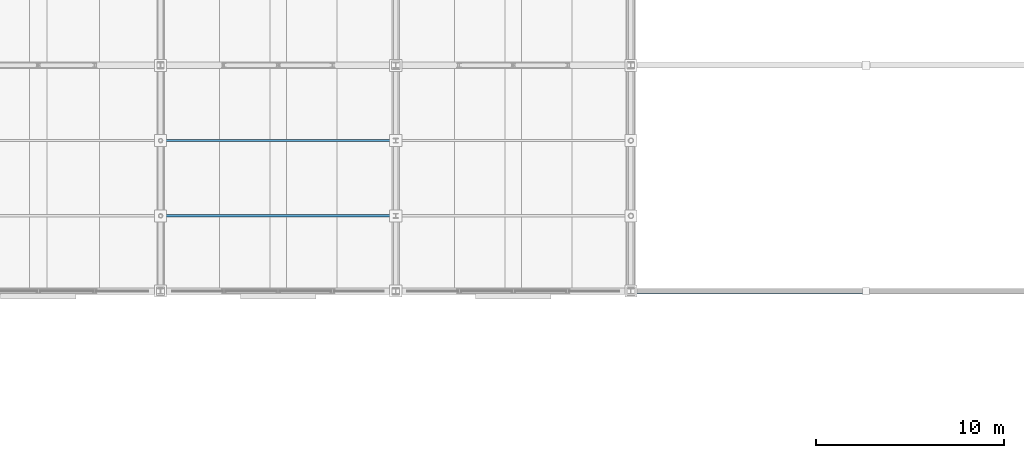
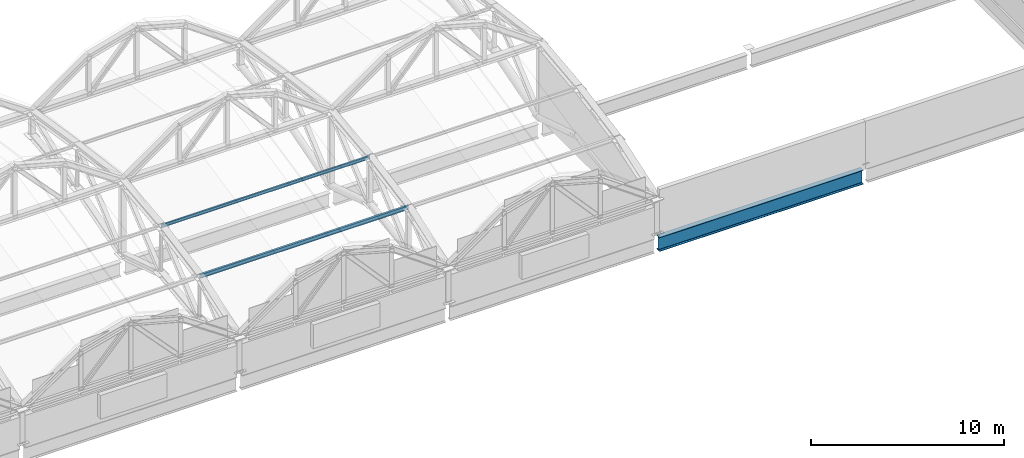
# One storey, part 52 of 117: 2 members, 1 beam.
"""IFC4 building model written with IfcOpenShell, lengths in metres."""

from ifc_helpers import new_model, si_unit, direction, frame, origin, origin_2d, place, context, subcontext, project, spatial, i_section, extrude, material, material_profile, profile_set, type_object, element, save


model = new_model("IFC4")

# Units and contexts
model_context = context("Model", 3, precision=1e-05, world=origin(), true_north=direction((0.0, 1.0)))
body_context = subcontext(model_context, "Body", "Model", "MODEL_VIEW")
ifc_project = project(units=[si_unit("LENGTHUNIT", "METRE"), si_unit("AREAUNIT", "SQUARE_METRE"), si_unit("VOLUMEUNIT", "CUBIC_METRE"), si_unit("PLANEANGLEUNIT", "RADIAN"), si_unit("MASSUNIT", "GRAM", prefix="KILO")], contexts=[model_context])

# Site, building, storey
site_placement = place(None, origin())
site = spatial("IfcSite", under=ifc_project, at=site_placement, CompositionType="ELEMENT")
building_placement = place(site_placement, origin())
building = spatial("IfcBuilding", under=site, at=building_placement, Name="Kazenohara Klinker Stadium", CompositionType="ELEMENT")
storey_placement = place(building_placement, frame((0.0, 0.0, 31.199951171875)))
storey = spatial("IfcBuildingStorey", under=building, at=storey_placement, Name="RF", CompositionType="ELEMENT", Elevation=31.199951171875)

# Members
ifc_material = material(Name="Steel S355", Category="steel")
ifc_material_profile_1 = material_profile(ifc_material, i_section(OverallWidth=0.125, OverallDepth=0.25, WebThickness=0.006103515625, FlangeThickness=0.009033203125, FilletRadius=0.008056640625, at=origin_2d()), Name="H-250x125x6x9")
ifc_profile_set_1 = profile_set([ifc_material_profile_1], Name="Steel S355")
member_type_1 = type_object("IfcMemberType", Name="MEM-PUR01", PredefinedType="PURLIN", material=ifc_profile_set_1)
member_1_placement = place(storey_placement, frame((125.0, 28.0, 3.469970703125), z_axis=(1.0, 0.0, 0.0), x_axis=(0.0, 1.0, 0.0)))
element("IfcMember", 1, at=member_1_placement, inside=storey, type_object=member_type_1, Name="Canopy valley tie purlin PR01 S-06-N1", PredefinedType="PURLIN", context=body_context, shape_type="SweptSolid", body=[
    extrude(i_section(OverallWidth=0.125, OverallDepth=0.25, WebThickness=0.006103515625, FlangeThickness=0.009033203125, FilletRadius=0.008056640625, at=origin_2d()), origin(), (0.0, 0.0, 1.0), 12.5),
])
ifc_material_profile_2 = material_profile(ifc_material, i_section(OverallWidth=0.10009765625, OverallDepth=0.199951171875, WebThickness=0.005615234375, FlangeThickness=0.008056640625, FilletRadius=0.008056640625, at=origin_2d()), Name="H-200x100x5.5x8")
ifc_profile_set_2 = profile_set([ifc_material_profile_2], Name="Steel S355")
member_type_2 = type_object("IfcMemberType", Name="MEM-PUR02", PredefinedType="PURLIN", material=ifc_profile_set_2)
member_2_placement = place(storey_placement, frame((125.0, 32.0, 4.219970703125), z_axis=(1.0, 0.0, 0.0), x_axis=(0.0, 1.0, 0.0)))
element("IfcMember", 2, at=member_2_placement, inside=storey, type_object=member_type_2, Name="Canopy valley tie purlin PR02 S-06-N2", PredefinedType="PURLIN", context=body_context, shape_type="SweptSolid", body=[
    extrude(i_section(OverallWidth=0.10009765625, OverallDepth=0.199951171875, WebThickness=0.005615234375, FlangeThickness=0.008056640625, FilletRadius=0.008056640625, at=origin_2d()), origin(), (0.0, 0.0, 1.0), 12.5),
])

# Beam
ifc_material_profile_3 = material_profile(ifc_material, i_section(OverallWidth=0.300048828125, OverallDepth=0.89990234375, WebThickness=0.01611328125, FlangeThickness=0.028076171875, FilletRadius=0.02197265625, at=origin_2d()), Name="H-900x300x16x28")
ifc_profile_set_3 = profile_set([ifc_material_profile_3], Name="Steel S355")
beam_type = type_object("IfcBeamType", Name="RING-RB01", PredefinedType="USERDEFINED", material=ifc_profile_set_3)
beam_placement = place(storey_placement, frame((150.139892578125, 24.0, -0.820068359375), z_axis=(1.0, 0.0, 0.0), x_axis=(0.0, 1.0, 0.0)))
element("IfcBeam", 3, at=beam_placement, inside=storey, type_object=beam_type, Name="Roof ring beam RB01 S-OUT 13-14", ObjectType="RING BEAM", PredefinedType="USERDEFINED", context=body_context, shape_type="SweptSolid", body=[
    extrude(i_section(OverallWidth=0.300048828125, OverallDepth=0.89990234375, WebThickness=0.01611328125, FlangeThickness=0.028076171875, FilletRadius=0.02197265625, at=origin_2d()), origin(), (0.0, 0.0, 1.0), 12.22021484375),
])

save(model, "model.ifc")
